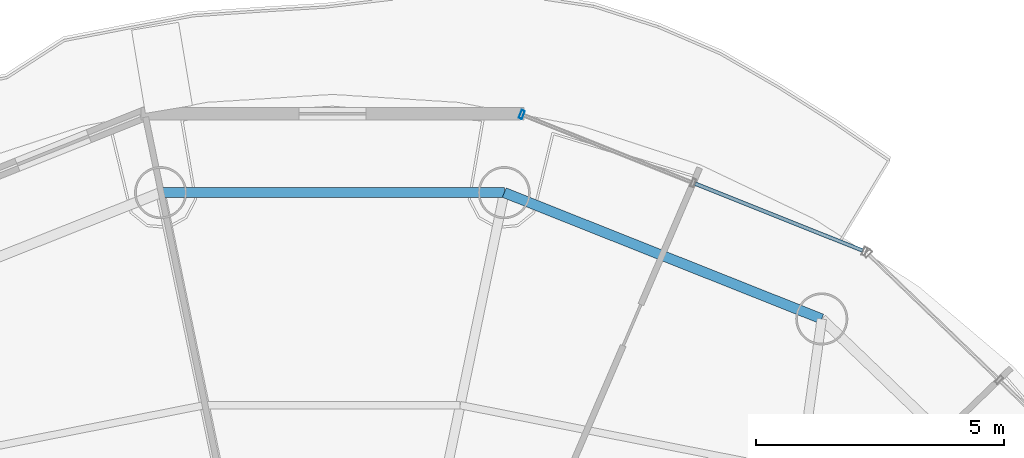
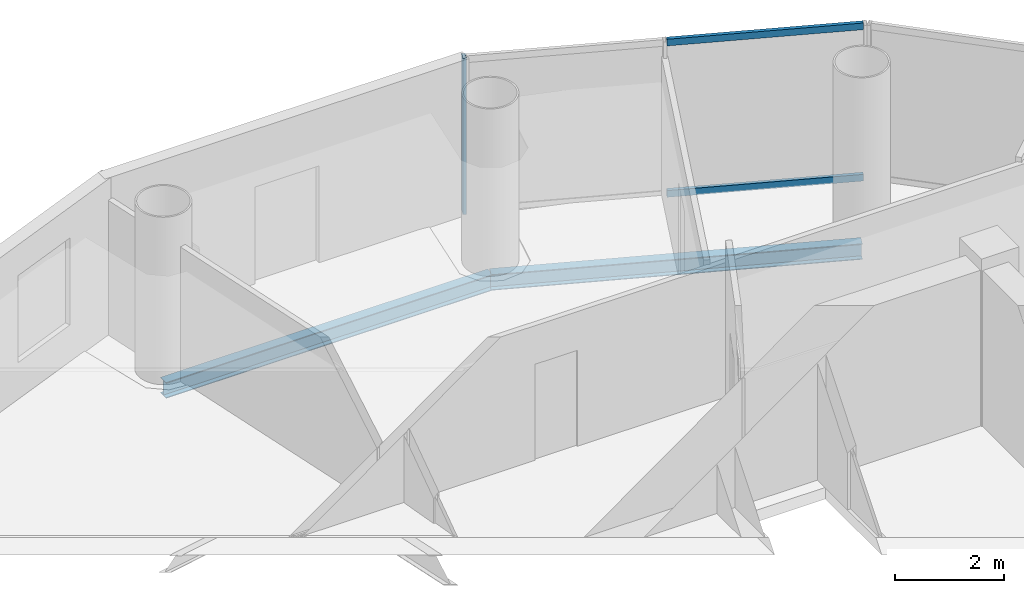
# One storey, part 14 of 23: 3 members, 2 beams, 1 element without a shape of its own.
"""IFC4 building model written with IfcOpenShell, lengths in metres."""

from ifc_helpers import new_model, si_unit, direction, frame, origin, origin_2d, place, context, subcontext, project, spatial, hollow_rectangle, i_section, extrude, source, transform, mapped, material, material_profile, profile_set, type_object, element, aggregate, save


model = new_model("IFC4")

# Units and contexts
model_context = context("Model", 3, precision=1e-05, world=origin(), true_north=direction((-0.2419218956, 0.970295726276)))
body_context = subcontext(model_context, "Body", "Model", "MODEL_VIEW")
ifc_project = project(units=[si_unit("LENGTHUNIT", "METRE"), si_unit("AREAUNIT", "SQUARE_METRE"), si_unit("VOLUMEUNIT", "CUBIC_METRE"), si_unit("PLANEANGLEUNIT", "RADIAN"), si_unit("MASSUNIT", "GRAM", prefix="KILO")], contexts=[model_context])

# Site, building, storey
site_placement = place(None, origin())
site = spatial("IfcSite", under=ifc_project, at=site_placement, CompositionType="ELEMENT")
building_placement = place(site_placement, origin())
building = spatial("IfcBuilding", under=site, at=building_placement, Name="Cobrevalo Terracotta Tower", CompositionType="ELEMENT")
storey_placement = place(building_placement, frame((0.0, 0.0, 248.199951171875)))
storey = spatial("IfcBuildingStorey", under=building, at=storey_placement, Name="L65", CompositionType="ELEMENT", Elevation=248.199951171875)

# Beams
ifc_material_1 = material(Name="Steel S355", Category="steel")
ifc_material_profile_1 = material_profile(ifc_material_1, i_section(OverallWidth=0.205078125, OverallDepth=0.35400390625, WebThickness=0.009521484375, FlangeThickness=0.016845703125, at=origin_2d()), Name="W 360x79")
ifc_profile_set_1 = profile_set([ifc_material_profile_1], Name="Steel S355")
beam_type = type_object("IfcBeamType", Name="Structural Spandrel W 360x79 (Steel S355)", PredefinedType="SPANDREL", material=ifc_profile_set_1)
beam_1_placement = place(storey_placement, frame((47.861328125, 40.9765625, -0.43701171875), z_axis=(-0.929149986048, 0.369702993533, 0.0), x_axis=(-0.369702993533, -0.929149986048, 0.0)))
element("IfcBeam", 1, at=beam_1_placement, inside=storey, type_object=beam_type, Name="L65 perimeter ring spandrel 03", PredefinedType="SPANDREL", context=body_context, shape_type="SweptSolid", body=[
    extrude(i_section(OverallWidth=0.205078125, OverallDepth=0.35400390625, WebThickness=0.009521484375, FlangeThickness=0.016845703125, at=origin_2d()), origin(), (0.0, 0.0, 1.0), 6.88623046875),
])
beam_2_placement = place(storey_placement, frame((41.462890625, 43.5224609375, -0.43701171875), z_axis=(-1.0, 0.0, 0.0), x_axis=(0.0, -1.0, 0.0)))
element("IfcBeam", 2, at=beam_2_placement, inside=storey, type_object=beam_type, Name="L65 perimeter ring spandrel 04", PredefinedType="SPANDREL", context=body_context, shape_type="SweptSolid", body=[
    extrude(i_section(OverallWidth=0.205078125, OverallDepth=0.35400390625, WebThickness=0.009521484375, FlangeThickness=0.016845703125, at=origin_2d()), origin(), (0.0, 0.0, 1.0), 6.92578125),
])

# Curtain wall, members
ifc_material_2 = material(Name="Anodized aluminium", Category="aluminium")
curtain_wall_type = type_object("IfcCurtainWallType", Name="Upper-tower triple-glazed penthouse curtain wall CW-U3", PredefinedType="NOTDEFINED", material=ifc_material_2)
curtain_wall_placement = place(storey_placement, origin())
curtain_wall = element("IfcCurtainWall", 3, at=curtain_wall_placement, inside=storey, type_object=curtain_wall_type, Name="L65 curtain wall CW-L65-S03", PredefinedType="NOTDEFINED")
ifc_material_profile_2 = material_profile(ifc_material_2, hollow_rectangle(XDim=0.070068359375, YDim=0.169921875, WallThickness=0.00439453125, at=origin_2d()), Name="CWM 70x170")
ifc_profile_set_2 = profile_set([ifc_material_profile_2], Name="Anodized aluminium")
member_type_1 = type_object("IfcMemberType", Name="Upper tower unitised mullion 70x170", PredefinedType="MULLION", material=ifc_profile_set_2)
shared_shape_1 = source(origin(), body_context, "Body", "SweptSolid", [
    extrude(hollow_rectangle(XDim=0.070068359375, YDim=0.169921875, WallThickness=0.00439453125, at=origin_2d()), origin(), (0.0, 0.0, 1.0), 3.489990234375),
])
member_1_placement = place(storey_placement, frame((41.816162109375, 45.096435546875, 0.0), z_axis=(0.0, 0.0, 1.0), x_axis=(-0.928718980883, 0.370784377433, 0.0)))
member_1 = element("IfcMember", 4, at=member_1_placement, type_object=member_type_1, Name="CW-L65-S03 vertical mullion 03", PredefinedType="MULLION", context=body_context, shape_type="MappedRepresentation", body=[
    mapped(shared_shape_1, transform((0.0, 0.0, 0.0), scale=1.0)),
])
ifc_material_profile_3 = material_profile(ifc_material_2, hollow_rectangle(XDim=0.074951171875, YDim=0.14990234375, WallThickness=0.00439453125, at=origin_2d()), Name="CWT 75x150")
ifc_profile_set_3 = profile_set([ifc_material_profile_3], Name="Anodized aluminium")
member_type_2 = type_object("IfcMemberType", Name="Tower unitised aluminium transom 75x150", PredefinedType="USERDEFINED", material=ifc_profile_set_3)
shared_shape_2 = source(origin(), body_context, "Body", "SweptSolid", [
    extrude(hollow_rectangle(XDim=0.074951171875, YDim=0.14990234375, WallThickness=0.00439453125, at=origin_2d()), origin(), (0.0, 0.0, 1.0), 3.63916015625),
])
member_2_placement = place(storey_placement, frame((48.68701171875, 42.353271484375, 0.050048828125), z_axis=(-0.928712471544, 0.370800681227, 0.0), x_axis=(-0.370800681227, -0.928712471544, 0.0)))
member_2 = element("IfcMember", 5, at=member_2_placement, type_object=member_type_2, Name="CW-L65-S03 transom B01-T1", ObjectType="TRANSOM", PredefinedType="USERDEFINED", context=body_context, shape_type="MappedRepresentation", body=[
    mapped(shared_shape_2, transform((0.0, 0.0, 0.0), scale=1.0)),
])
member_3_placement = place(storey_placement, frame((48.68701171875, 42.353271484375, 3.43994140625), z_axis=(-0.928712471544, 0.370800681227, 0.0), x_axis=(-0.370800681227, -0.928712471544, 0.0)))
member_3 = element("IfcMember", 6, at=member_3_placement, type_object=member_type_2, Name="CW-L65-S03 transom B01-T2", ObjectType="TRANSOM", PredefinedType="USERDEFINED", context=body_context, shape_type="MappedRepresentation", body=[
    mapped(shared_shape_2, transform((0.0, 0.0, 0.0), scale=1.0)),
])
aggregate(curtain_wall, [member_1, member_2, member_3])

save(model, "model.ifc")
